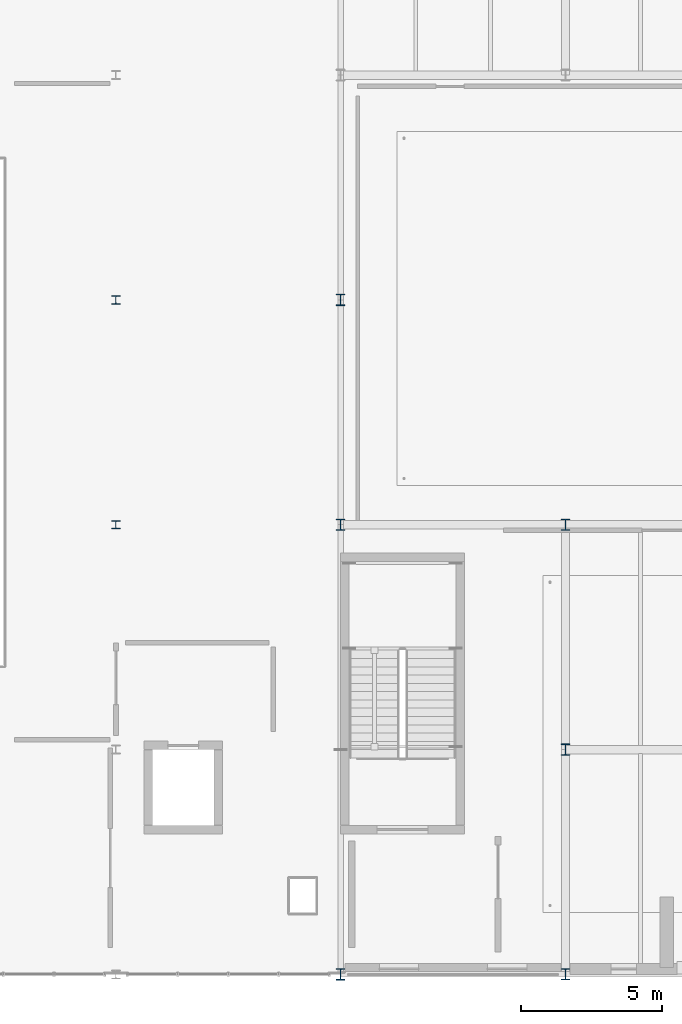
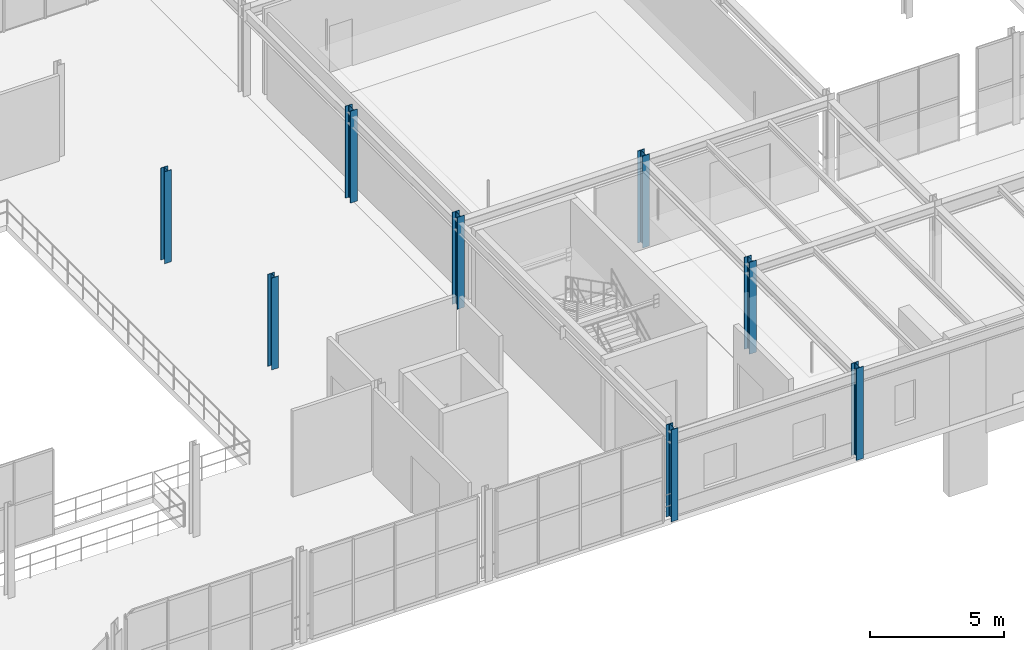
# One storey, part 3 of 67: 8 columns.
"""IFC4 building model written with IfcOpenShell, lengths in metres."""

from ifc_helpers import new_model, si_unit, direction, frame, origin, origin_2d, place, context, subcontext, project, spatial, i_section, extrude, material, material_profile, profile_set, type_object, element, save


model = new_model("IFC4")

# Units and contexts
model_context = context("Model", 3, precision=1e-05, world=origin(), true_north=direction((0.0, 1.0)))
body_context = subcontext(model_context, "Body", "Model", "MODEL_VIEW")
ifc_project = project(units=[si_unit("LENGTHUNIT", "METRE"), si_unit("AREAUNIT", "SQUARE_METRE"), si_unit("VOLUMEUNIT", "CUBIC_METRE"), si_unit("PLANEANGLEUNIT", "RADIAN"), si_unit("MASSUNIT", "GRAM", prefix="KILO")], contexts=[model_context])

# Site, building, storey
site_placement = place(None, origin())
site = spatial("IfcSite", under=ifc_project, at=site_placement, CompositionType="ELEMENT")
building_placement = place(site_placement, origin())
building = spatial("IfcBuilding", under=site, at=building_placement, Name="Sundkrona Museum", CompositionType="ELEMENT")
storey_placement = place(building_placement, frame((0.0, 0.0, 21.800048828125)))
storey = spatial("IfcBuildingStorey", under=building, at=storey_placement, Name="L04", CompositionType="ELEMENT", Elevation=21.800048828125)

# Columns
ifc_material = material(Name="Steel S355J2", Category="steel")
ifc_material_profile_1 = material_profile(ifc_material, i_section(OverallWidth=0.300048828125, OverallDepth=0.300048828125, WebThickness=0.010986328125, FlangeThickness=0.01904296875, FilletRadius=0.027099609375, at=origin_2d()), Name="HEB 300")
ifc_profile_set_1 = profile_set([ifc_material_profile_1], Name="Steel S355J2")
column_type_1 = type_object("IfcColumnType", Name="C-HEB300", PredefinedType="COLUMN", material=ifc_profile_set_1)
for number, where, z_axis, x_axis, name in (
    (1, (112.0, 16.0, 0.0), (0.0, 0.0, 1.0), (1.0, 0.0, 0.0), "L04 Column C/15"),
    (2, (112.0, 24.0, 0.0), (0.0, 0.0, 1.0), (1.0, 0.0, 0.0), "L04 Column D/15"),
):
    element("IfcColumn", number, at=place(storey_placement, frame(where, z_axis=z_axis, x_axis=x_axis)), inside=storey, type_object=column_type_1, Name=name, PredefinedType="COLUMN", context=body_context, shape_type="SweptSolid", body=[
        extrude(i_section(OverallWidth=0.300048828125, OverallDepth=0.300048828125, WebThickness=0.010986328125, FlangeThickness=0.01904296875, FilletRadius=0.027099609375, at=origin_2d()), origin(), (0.0, 0.0, 1.0), 4.199951171875),
    ])
ifc_material_profile_2 = material_profile(ifc_material, i_section(OverallWidth=0.300048828125, OverallDepth=0.39990234375, WebThickness=0.013427734375, FlangeThickness=0.02392578125, FilletRadius=0.027099609375, at=origin_2d()), Name="HEB 400")
ifc_profile_set_2 = profile_set([ifc_material_profile_2], Name="Steel S355J2")
column_type_2 = type_object("IfcColumnType", Name="C-HEB400", PredefinedType="COLUMN", material=ifc_profile_set_2)
for number, where, z_axis, x_axis, name in (
    (3, (120.0, 0.0, 0.0), (0.0, 0.0, 1.0), (1.0, 0.0, 0.0), "L04 Column A/16"),
    (4, (120.0, 16.0, 0.0), (0.0, 0.0, 1.0), (1.0, 0.0, 0.0), "L04 Column C/16"),
    (5, (120.0, 24.0, 0.0), (0.0, 0.0, 1.0), (1.0, 0.0, 0.0), "L04 Column D/16"),
    (6, (128.0, 0.0, 0.0), (0.0, 0.0, 1.0), (1.0, 0.0, 0.0), "L04 Column A/17"),
    (7, (128.0, 8.0, 0.0), (0.0, 0.0, 1.0), (1.0, 0.0, 0.0), "L04 Column B/17"),
    (8, (128.0, 16.0, 0.0), (0.0, 0.0, 1.0), (1.0, 0.0, 0.0), "L04 Column C/17"),
):
    element("IfcColumn", number, at=place(storey_placement, frame(where, z_axis=z_axis, x_axis=x_axis)), inside=storey, type_object=column_type_2, Name=name, PredefinedType="COLUMN", context=body_context, shape_type="SweptSolid", body=[
        extrude(i_section(OverallWidth=0.300048828125, OverallDepth=0.39990234375, WebThickness=0.013427734375, FlangeThickness=0.02392578125, FilletRadius=0.027099609375, at=origin_2d()), origin(), (0.0, 0.0, 1.0), 4.199951171875),
    ])

save(model, "model.ifc")
